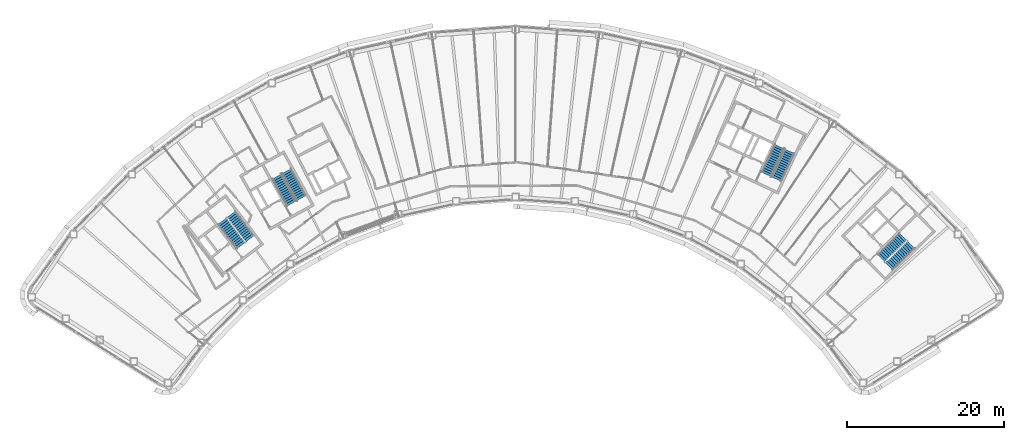
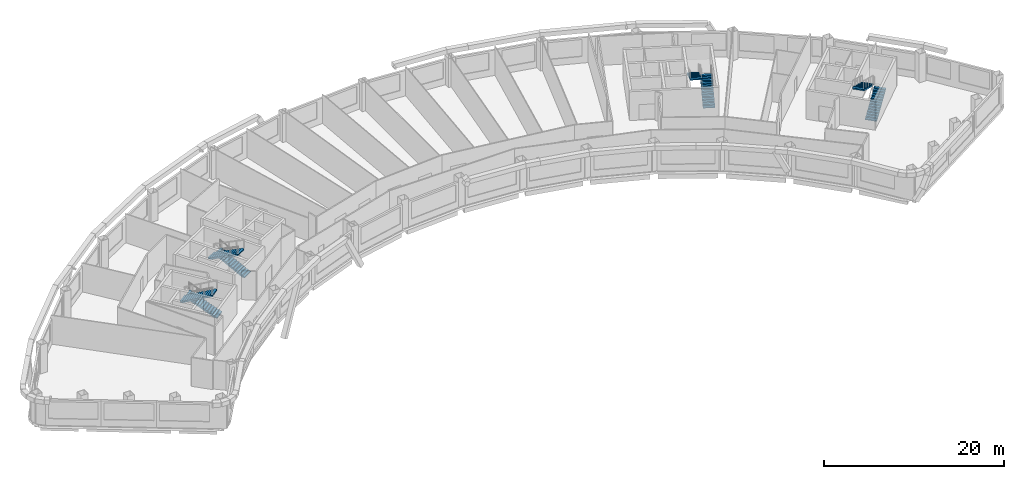
# One storey, part 11 of 16: 8 stair flights, 4 elements without a shape of their own.
"""IFC4 building model written with IfcOpenShell, lengths in metres."""

from ifc_helpers import new_model, si_unit, direction, frame, origin, place, context, subcontext, project, spatial, polyline, outline, extrude, material, type_object, element, aggregate, save


model = new_model("IFC4")

# Units and contexts
model_context = context("Model", 3, precision=1e-05, world=origin(), true_north=direction((0.0, 1.0)))
body_context = subcontext(model_context, "Body", "Model", "MODEL_VIEW")
ifc_project = project(units=[si_unit("LENGTHUNIT", "METRE"), si_unit("AREAUNIT", "SQUARE_METRE"), si_unit("VOLUMEUNIT", "CUBIC_METRE"), si_unit("PLANEANGLEUNIT", "RADIAN"), si_unit("MASSUNIT", "GRAM", prefix="KILO")], contexts=[model_context])

# Site, building, storey
site_placement = place(None, origin())
site = spatial("IfcSite", under=ifc_project, at=site_placement, CompositionType="ELEMENT")
building_placement = place(site_placement, origin())
building = spatial("IfcBuilding", under=site, at=building_placement, Name="Tuul Gate Civic Tower", CompositionType="ELEMENT")
storey_placement = place(building_placement, frame((0.0, 0.0, 184.699951171875)))
storey = spatial("IfcBuildingStorey", under=building, at=storey_placement, Name="Level 42", CompositionType="ELEMENT", Elevation=184.699951171875)

# Stair, stair flights
ifc_material_1 = material(Name="Concrete C40/50", Category="concrete")
stair_type = type_object("IfcStairType", Name="Exit stair", PredefinedType="HALF_TURN_STAIR", material=ifc_material_1)
stair_1_placement = place(storey_placement, origin())
stair_1 = element("IfcStair", 1, at=stair_1_placement, inside=storey, type_object=stair_type, Name="Level 42 ST-1", PredefinedType="HALF_TURN_STAIR")
ifc_material_2 = material(Name="Concrete C40/50", Category="concrete")
stair_flight_type = type_object("IfcStairFlightType", Name="Exit stair flight", PredefinedType="STRAIGHT", material=ifc_material_2)
stair_flight_1_placement = place(storey_placement, frame((-32.875244140625, -13.066650390625, 0.0), z_axis=(0.0, 0.0, 1.0), x_axis=(-0.605764474941, 0.795644016442, 0.0)))
stair_flight_1 = element("IfcStairFlight", 2, at=stair_flight_1_placement, type_object=stair_flight_type, Name="ST-1 flight 1", NumberOfRisers=14, NumberOfTreads=13, PredefinedType="STRAIGHT", RiserHeight=0.15, TreadLength=0.3, context=body_context, shape_type="SweptSolid", body=[
    extrude(outline(polyline([(0.0, 0.0), (0.0, 0.14990234375), (0.300048828125, 0.14990234375), (0.300048828125, 0.300048828125), (0.60009765625, 0.300048828125), (0.60009765625, 0.449951171875), (0.89990234375, 0.449951171875), (0.89990234375, 0.60009765625), (1.199951171875, 0.60009765625), (1.199951171875, 0.75), (1.5, 0.75), (1.5, 0.89990234375), (1.800048828125, 0.89990234375), (1.800048828125, 1.050048828125), (2.10009765625, 1.050048828125), (2.10009765625, 1.199951171875), (2.39990234375, 1.199951171875), (2.39990234375, 1.35009765625), (2.699951171875, 1.35009765625), (2.699951171875, 1.5), (3.0, 1.5), (3.0, 1.64990234375), (3.300048828125, 1.64990234375), (3.300048828125, 1.800048828125), (3.60009765625, 1.800048828125), (3.60009765625, 1.949951171875), (3.89990234375, 1.949951171875), (3.89990234375, 2.10009765625), (3.89990234375, 1.782470703125), (0.335205078125, 0.0), (0.0, 0.0)])), frame((0.0, 0.675048828125, 0.0), z_axis=(0.0, -1.0, 0.0), x_axis=(1.0, 0.0, 0.0)), (0.0, 0.0, 1.0), 1.35009765625),
])
stair_flight_2_placement = place(storey_placement, frame((-36.391357421875, -10.842041015625, 2.10009765625), z_axis=(0.0, 0.0, 1.0), x_axis=(0.605764474941, -0.795644016442, 0.0)))
stair_flight_2 = element("IfcStairFlight", 3, at=stair_flight_2_placement, type_object=stair_flight_type, Name="ST-1 flight 2", NumberOfRisers=14, NumberOfTreads=13, PredefinedType="STRAIGHT", RiserHeight=0.15, TreadLength=0.3, context=body_context, shape_type="SweptSolid", body=[
    extrude(outline(polyline([(0.0, 0.0), (0.0, 0.14990234375), (0.300048828125, 0.14990234375), (0.300048828125, 0.300048828125), (0.60009765625, 0.300048828125), (0.60009765625, 0.449951171875), (0.89990234375, 0.449951171875), (0.89990234375, 0.60009765625), (1.199951171875, 0.60009765625), (1.199951171875, 0.75), (1.5, 0.75), (1.5, 0.89990234375), (1.800048828125, 0.89990234375), (1.800048828125, 1.050048828125), (2.10009765625, 1.050048828125), (2.10009765625, 1.199951171875), (2.39990234375, 1.199951171875), (2.39990234375, 1.35009765625), (2.699951171875, 1.35009765625), (2.699951171875, 1.5), (3.0, 1.5), (3.0, 1.64990234375), (3.300048828125, 1.64990234375), (3.300048828125, 1.800048828125), (3.60009765625, 1.800048828125), (3.60009765625, 1.949951171875), (3.89990234375, 1.949951171875), (3.89990234375, 2.10009765625), (3.89990234375, 1.782470703125), (0.335205078125, 0.0), (0.0, 0.0)])), frame((0.0, 0.675048828125, 0.0), z_axis=(0.0, -1.0, 0.0), x_axis=(1.0, 0.0, 0.0)), (0.0, 0.0, 1.0), 1.35009765625),
])
aggregate(stair_1, [stair_flight_1, stair_flight_2])

stair_2_placement = place(storey_placement, origin())
stair_2 = element("IfcStair", 4, at=stair_2_placement, inside=storey, type_object=stair_type, Name="Level 42 ST-2", PredefinedType="HALF_TURN_STAIR")
stair_flight_3_placement = place(storey_placement, frame((-26.29150390625, -7.87646484375, 0.0), z_axis=(0.0, 0.0, 1.0), x_axis=(-0.484761763766, 0.874646232708, 0.0)))
stair_flight_3 = element("IfcStairFlight", 5, at=stair_flight_3_placement, type_object=stair_flight_type, Name="ST-2 flight 1", NumberOfRisers=14, NumberOfTreads=13, PredefinedType="STRAIGHT", RiserHeight=0.15, TreadLength=0.3, context=body_context, shape_type="SweptSolid", body=[
    extrude(outline(polyline([(0.0, 0.0), (0.0, 0.14990234375), (0.300048828125, 0.14990234375), (0.300048828125, 0.300048828125), (0.60009765625, 0.300048828125), (0.60009765625, 0.449951171875), (0.89990234375, 0.449951171875), (0.89990234375, 0.60009765625), (1.199951171875, 0.60009765625), (1.199951171875, 0.75), (1.5, 0.75), (1.5, 0.89990234375), (1.800048828125, 0.89990234375), (1.800048828125, 1.050048828125), (2.10009765625, 1.050048828125), (2.10009765625, 1.199951171875), (2.39990234375, 1.199951171875), (2.39990234375, 1.35009765625), (2.699951171875, 1.35009765625), (2.699951171875, 1.5), (3.0, 1.5), (3.0, 1.64990234375), (3.300048828125, 1.64990234375), (3.300048828125, 1.800048828125), (3.60009765625, 1.800048828125), (3.60009765625, 1.949951171875), (3.89990234375, 1.949951171875), (3.89990234375, 2.10009765625), (3.89990234375, 1.782470703125), (0.335205078125, 0.0), (0.0, 0.0)])), frame((0.0, 0.675048828125, 0.0), z_axis=(0.0, -1.0, 0.0), x_axis=(1.0, 0.0, 0.0)), (0.0, 0.0, 1.0), 1.35009765625),
])
stair_flight_4_placement = place(storey_placement, frame((-29.450439453125, -5.168212890625, 2.10009765625), z_axis=(0.0, 0.0, 1.0), x_axis=(0.484761763766, -0.874646232708, 0.0)))
stair_flight_4 = element("IfcStairFlight", 6, at=stair_flight_4_placement, type_object=stair_flight_type, Name="ST-2 flight 2", NumberOfRisers=14, NumberOfTreads=13, PredefinedType="STRAIGHT", RiserHeight=0.15, TreadLength=0.3, context=body_context, shape_type="SweptSolid", body=[
    extrude(outline(polyline([(0.0, 0.0), (0.0, 0.14990234375), (0.300048828125, 0.14990234375), (0.300048828125, 0.300048828125), (0.60009765625, 0.300048828125), (0.60009765625, 0.449951171875), (0.89990234375, 0.449951171875), (0.89990234375, 0.60009765625), (1.199951171875, 0.60009765625), (1.199951171875, 0.75), (1.5, 0.75), (1.5, 0.89990234375), (1.800048828125, 0.89990234375), (1.800048828125, 1.050048828125), (2.10009765625, 1.050048828125), (2.10009765625, 1.199951171875), (2.39990234375, 1.199951171875), (2.39990234375, 1.35009765625), (2.699951171875, 1.35009765625), (2.699951171875, 1.5), (3.0, 1.5), (3.0, 1.64990234375), (3.300048828125, 1.64990234375), (3.300048828125, 1.800048828125), (3.60009765625, 1.800048828125), (3.60009765625, 1.949951171875), (3.89990234375, 1.949951171875), (3.89990234375, 2.10009765625), (3.89990234375, 1.782470703125), (0.335205078125, 0.0), (0.0, 0.0)])), frame((0.0, 0.675048828125, 0.0), z_axis=(0.0, -1.0, 0.0), x_axis=(1.0, 0.0, 0.0)), (0.0, 0.0, 1.0), 1.35009765625),
])
aggregate(stair_2, [stair_flight_3, stair_flight_4])

stair_3_placement = place(storey_placement, origin())
stair_3 = element("IfcStair", 7, at=stair_3_placement, inside=storey, type_object=stair_type, Name="Level 42 ST-3", PredefinedType="HALF_TURN_STAIR")
stair_flight_5_placement = place(storey_placement, frame((48.61376953125, -16.581787109375, 0.0), z_axis=(0.0, 0.0, 1.0), x_axis=(0.714127290059, 0.700015866672, 0.0)))
stair_flight_5 = element("IfcStairFlight", 8, at=stair_flight_5_placement, type_object=stair_flight_type, Name="ST-3 flight 1", NumberOfRisers=14, NumberOfTreads=13, PredefinedType="STRAIGHT", RiserHeight=0.15, TreadLength=0.3, context=body_context, shape_type="SweptSolid", body=[
    extrude(outline(polyline([(0.0, 0.0), (0.0, 0.14990234375), (0.300048828125, 0.14990234375), (0.300048828125, 0.300048828125), (0.60009765625, 0.300048828125), (0.60009765625, 0.449951171875), (0.89990234375, 0.449951171875), (0.89990234375, 0.60009765625), (1.199951171875, 0.60009765625), (1.199951171875, 0.75), (1.5, 0.75), (1.5, 0.89990234375), (1.800048828125, 0.89990234375), (1.800048828125, 1.050048828125), (2.10009765625, 1.050048828125), (2.10009765625, 1.199951171875), (2.39990234375, 1.199951171875), (2.39990234375, 1.35009765625), (2.699951171875, 1.35009765625), (2.699951171875, 1.5), (3.0, 1.5), (3.0, 1.64990234375), (3.300048828125, 1.64990234375), (3.300048828125, 1.800048828125), (3.60009765625, 1.800048828125), (3.60009765625, 1.949951171875), (3.89990234375, 1.949951171875), (3.89990234375, 2.10009765625), (3.89990234375, 1.782470703125), (0.335205078125, 0.0), (0.0, 0.0)])), frame((0.0, 0.675048828125, 0.0), z_axis=(0.0, -1.0, 0.0), x_axis=(1.0, 0.0, 0.0)), (0.0, 0.0, 1.0), 1.35009765625),
])
stair_flight_6_placement = place(storey_placement, frame((50.3837890625, -12.816162109375, 2.10009765625), z_axis=(0.0, 0.0, 1.0), x_axis=(-0.714127290059, -0.700015866672, 0.0)))
stair_flight_6 = element("IfcStairFlight", 9, at=stair_flight_6_placement, type_object=stair_flight_type, Name="ST-3 flight 2", NumberOfRisers=14, NumberOfTreads=13, PredefinedType="STRAIGHT", RiserHeight=0.15, TreadLength=0.3, context=body_context, shape_type="SweptSolid", body=[
    extrude(outline(polyline([(0.0, 0.0), (0.0, 0.14990234375), (0.300048828125, 0.14990234375), (0.300048828125, 0.300048828125), (0.60009765625, 0.300048828125), (0.60009765625, 0.449951171875), (0.89990234375, 0.449951171875), (0.89990234375, 0.60009765625), (1.199951171875, 0.60009765625), (1.199951171875, 0.75), (1.5, 0.75), (1.5, 0.89990234375), (1.800048828125, 0.89990234375), (1.800048828125, 1.050048828125), (2.10009765625, 1.050048828125), (2.10009765625, 1.199951171875), (2.39990234375, 1.199951171875), (2.39990234375, 1.35009765625), (2.699951171875, 1.35009765625), (2.699951171875, 1.5), (3.0, 1.5), (3.0, 1.64990234375), (3.300048828125, 1.64990234375), (3.300048828125, 1.800048828125), (3.60009765625, 1.800048828125), (3.60009765625, 1.949951171875), (3.89990234375, 1.949951171875), (3.89990234375, 2.10009765625), (3.89990234375, 1.782470703125), (0.335205078125, 0.0), (0.0, 0.0)])), frame((0.0, 0.675048828125, 0.0), z_axis=(0.0, -1.0, 0.0), x_axis=(1.0, 0.0, 0.0)), (0.0, 0.0, 1.0), 1.35009765625),
])
aggregate(stair_3, [stair_flight_5, stair_flight_6])

stair_4_placement = place(storey_placement, origin())
stair_4 = element("IfcStair", 10, at=stair_4_placement, inside=storey, type_object=stair_type, Name="Level 42 ST-4", PredefinedType="HALF_TURN_STAIR")
stair_flight_7_placement = place(storey_placement, frame((34.278564453125, -5.478515625, 0.0), z_axis=(0.0, 0.0, 1.0), x_axis=(0.422576295988, 0.906327354806, 0.0)))
stair_flight_7 = element("IfcStairFlight", 11, at=stair_flight_7_placement, type_object=stair_flight_type, Name="ST-4 flight 1", NumberOfRisers=14, NumberOfTreads=13, PredefinedType="STRAIGHT", RiserHeight=0.15, TreadLength=0.3, context=body_context, shape_type="SweptSolid", body=[
    extrude(outline(polyline([(0.0, 0.0), (0.0, 0.14990234375), (0.300048828125, 0.14990234375), (0.300048828125, 0.300048828125), (0.60009765625, 0.300048828125), (0.60009765625, 0.449951171875), (0.89990234375, 0.449951171875), (0.89990234375, 0.60009765625), (1.199951171875, 0.60009765625), (1.199951171875, 0.75), (1.5, 0.75), (1.5, 0.89990234375), (1.800048828125, 0.89990234375), (1.800048828125, 1.050048828125), (2.10009765625, 1.050048828125), (2.10009765625, 1.199951171875), (2.39990234375, 1.199951171875), (2.39990234375, 1.35009765625), (2.699951171875, 1.35009765625), (2.699951171875, 1.5), (3.0, 1.5), (3.0, 1.64990234375), (3.300048828125, 1.64990234375), (3.300048828125, 1.800048828125), (3.60009765625, 1.800048828125), (3.60009765625, 1.949951171875), (3.89990234375, 1.949951171875), (3.89990234375, 2.10009765625), (3.89990234375, 1.782470703125), (0.335205078125, 0.0), (0.0, 0.0)])), frame((0.0, 0.675048828125, 0.0), z_axis=(0.0, -1.0, 0.0), x_axis=(1.0, 0.0, 0.0)), (0.0, 0.0, 1.0), 1.35009765625),
])
stair_flight_8_placement = place(storey_placement, frame((34.612548828125, -1.3310546875, 2.10009765625), z_axis=(0.0, 0.0, 1.0), x_axis=(-0.422576295988, -0.906327354806, 0.0)))
stair_flight_8 = element("IfcStairFlight", 12, at=stair_flight_8_placement, type_object=stair_flight_type, Name="ST-4 flight 2", NumberOfRisers=14, NumberOfTreads=13, PredefinedType="STRAIGHT", RiserHeight=0.15, TreadLength=0.3, context=body_context, shape_type="SweptSolid", body=[
    extrude(outline(polyline([(0.0, 0.0), (0.0, 0.14990234375), (0.300048828125, 0.14990234375), (0.300048828125, 0.300048828125), (0.60009765625, 0.300048828125), (0.60009765625, 0.449951171875), (0.89990234375, 0.449951171875), (0.89990234375, 0.60009765625), (1.199951171875, 0.60009765625), (1.199951171875, 0.75), (1.5, 0.75), (1.5, 0.89990234375), (1.800048828125, 0.89990234375), (1.800048828125, 1.050048828125), (2.10009765625, 1.050048828125), (2.10009765625, 1.199951171875), (2.39990234375, 1.199951171875), (2.39990234375, 1.35009765625), (2.699951171875, 1.35009765625), (2.699951171875, 1.5), (3.0, 1.5), (3.0, 1.64990234375), (3.300048828125, 1.64990234375), (3.300048828125, 1.800048828125), (3.60009765625, 1.800048828125), (3.60009765625, 1.949951171875), (3.89990234375, 1.949951171875), (3.89990234375, 2.10009765625), (3.89990234375, 1.782470703125), (0.335205078125, 0.0), (0.0, 0.0)])), frame((0.0, 0.675048828125, 0.0), z_axis=(0.0, -1.0, 0.0), x_axis=(1.0, 0.0, 0.0)), (0.0, 0.0, 1.0), 1.35009765625),
])
aggregate(stair_4, [stair_flight_7, stair_flight_8])

save(model, "model.ifc")
